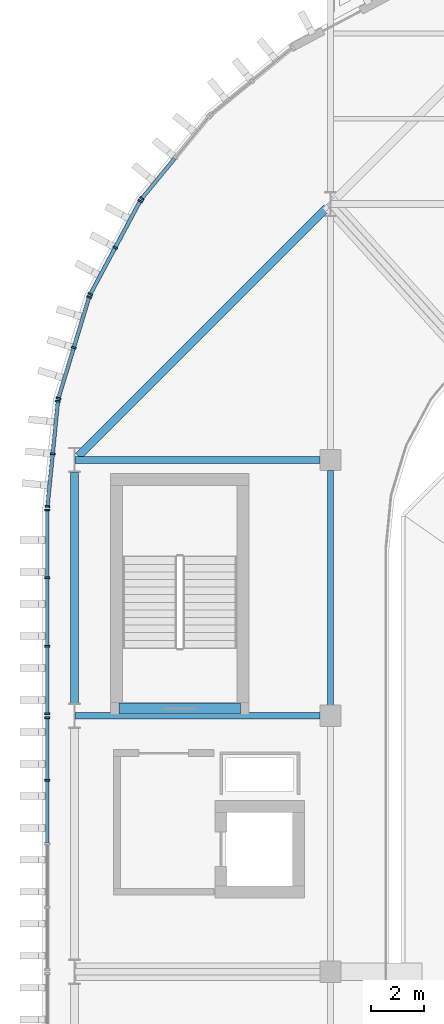
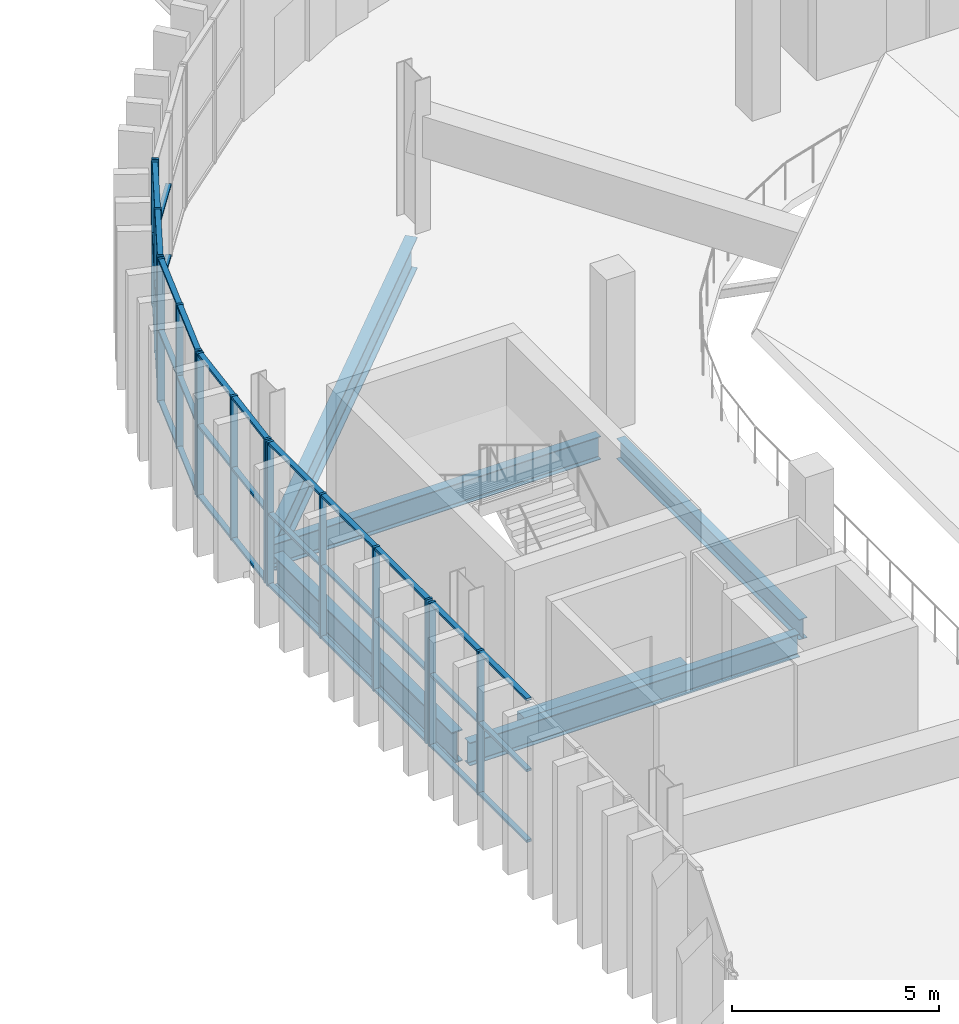
# One storey, part 24 of 69: 51 members, 6 beams, 6 elements without a shape of their own.
"""IFC4 building model written with IfcOpenShell, lengths in metres."""

from ifc_helpers import new_model, si_unit, direction, frame, origin, origin_2d, place, context, subcontext, project, spatial, rectangle, i_section, extrude, material, layer, layer_set, material_profile, profile_set, type_object, element, aggregate, save


model = new_model("IFC4")

# Units and contexts
model_context = context("Model", 3, precision=1e-05, world=origin(), true_north=direction((0.0, 1.0)))
body_context = subcontext(model_context, "Body", "Model", "MODEL_VIEW")
ifc_project = project(units=[si_unit("LENGTHUNIT", "METRE"), si_unit("AREAUNIT", "SQUARE_METRE"), si_unit("VOLUMEUNIT", "CUBIC_METRE"), si_unit("PLANEANGLEUNIT", "RADIAN"), si_unit("MASSUNIT", "GRAM", prefix="KILO")], contexts=[model_context])

# Site, building, storey
site_placement = place(None, origin())
site = spatial("IfcSite", under=ifc_project, at=site_placement, CompositionType="ELEMENT")
building_placement = place(site_placement, origin())
building = spatial("IfcBuilding", under=site, at=building_placement, Name="Caelomonte Colonnade Arena", CompositionType="ELEMENT")
storey_placement = place(building_placement, frame((0.0, 0.0, 18.60009765625)))
storey = spatial("IfcBuildingStorey", under=building, at=storey_placement, Name="L04", CompositionType="ELEMENT", Elevation=18.60009765625)

# Curtain wall, member
ifc_material_1 = material(Name="Bronze anodised aluminium and low-E glazing", Category="aluminium")
ifc_layer_1 = layer(ifc_material_1, 0.179931640625)
ifc_layer_set_1 = layer_set([ifc_layer_1], Name="Bronze anodised aluminium and low-E glazing")
curtain_wall_type_1 = type_object("IfcCurtainWallType", Name="ENV-CW-CW-L04-44-42", PredefinedType="USERDEFINED", material=ifc_layer_set_1)
curtain_wall_1_placement = place(storey_placement, origin())
curtain_wall_1 = element("IfcCurtainWall", 1, at=curtain_wall_1_placement, inside=storey, type_object=curtain_wall_type_1, Name="L04 unitized curtain wall CW-L04-0614-1073", ObjectType="UNITIZED CURTAIN WALL", PredefinedType="USERDEFINED")
ifc_material_2 = material(Name="Bronze anodised aluminium AA6063-T6", Category="aluminium")
ifc_material_profile_1 = material_profile(ifc_material_2, rectangle(XDim=0.070068359375, YDim=0.179931640625, at=origin_2d()), Name="CWM-70X180")
ifc_profile_set_1 = profile_set([ifc_material_profile_1], Name="Bronze anodised aluminium AA6063-T6")
member_type_1 = type_object("IfcMemberType", Name="ENV-CW-MULL1", PredefinedType="MULLION", material=ifc_profile_set_1)
member_1_placement = place(storey_placement, frame((60.125732421875, 105.810791015625, 0.0), z_axis=(0.0, 0.0, 1.0), x_axis=(-0.634416071163, -0.772991751994, 0.0)))
member_1 = element("IfcMember", 2, at=member_1_placement, type_object=member_type_1, Name="CW-L04-44-42 mullion 3", PredefinedType="MULLION", context=body_context, shape_type="SweptSolid", body=[
    extrude(rectangle(XDim=0.070068359375, YDim=0.179931640625, at=origin_2d()), origin(), (0.0, 0.0, 1.0), 4.239990234375),
])

# Curtain wall, members
curtain_wall_2_placement = place(storey_placement, origin())
curtain_wall_2 = element("IfcCurtainWall", 3, at=curtain_wall_2_placement, inside=storey, type_object=curtain_wall_type_1, Name="L04 unitized curtain wall CW-L04-0591-1040", ObjectType="UNITIZED CURTAIN WALL", PredefinedType="USERDEFINED")
member_2_placement = place(storey_placement, frame((60.0625, 105.716064453125, 0.0), z_axis=(0.0, 0.0, 1.0), x_axis=(-0.471394212466, -0.881922613642, 0.0)))
member_2 = element("IfcMember", 4, at=member_2_placement, type_object=member_type_1, Name="CW-L04-44-42 mullion 1", PredefinedType="MULLION", context=body_context, shape_type="SweptSolid", body=[
    extrude(rectangle(XDim=0.070068359375, YDim=0.179931640625, at=origin_2d()), origin(), (0.0, 0.0, 1.0), 4.239990234375),
])
member_3_placement = place(storey_placement, frame((59.12744140625, 103.966796875, 0.0), z_axis=(0.0, 0.0, 1.0), x_axis=(-0.471394212466, -0.881922613642, 0.0)))
member_3 = element("IfcMember", 5, at=member_3_placement, type_object=member_type_1, Name="CW-L04-44-42 mullion 2", PredefinedType="MULLION", context=body_context, shape_type="SweptSolid", body=[
    extrude(rectangle(XDim=0.070068359375, YDim=0.179931640625, at=origin_2d()), origin(), (0.0, 0.0, 1.0), 4.239990234375),
])
member_4_placement = place(storey_placement, frame((58.192626953125, 102.2177734375, 0.0), z_axis=(0.0, 0.0, 1.0), x_axis=(-0.471394212466, -0.881922613642, 0.0)))
member_4 = element("IfcMember", 6, at=member_4_placement, type_object=member_type_1, Name="CW-L04-44-42 mullion 3", PredefinedType="MULLION", context=body_context, shape_type="SweptSolid", body=[
    extrude(rectangle(XDim=0.070068359375, YDim=0.179931640625, at=origin_2d()), origin(), (0.0, 0.0, 1.0), 4.239990234375),
])

curtain_wall_3_placement = place(storey_placement, origin())
curtain_wall_3 = element("IfcCurtainWall", 7, at=curtain_wall_3_placement, inside=storey, type_object=curtain_wall_type_1, Name="L04 unitized curtain wall CW-L04-0576-1002", ObjectType="UNITIZED CURTAIN WALL", PredefinedType="USERDEFINED")
member_5_placement = place(storey_placement, frame((58.14892578125, 102.1123046875, 0.0), z_axis=(0.0, 0.0, 1.0), x_axis=(-0.290255582655, -0.956949160999, 0.0)))
member_5 = element("IfcMember", 8, at=member_5_placement, type_object=member_type_1, Name="CW-L04-44-42 mullion 1", PredefinedType="MULLION", context=body_context, shape_type="SweptSolid", body=[
    extrude(rectangle(XDim=0.070068359375, YDim=0.179931640625, at=origin_2d()), origin(), (0.0, 0.0, 1.0), 4.239990234375),
])
member_6_placement = place(storey_placement, frame((57.5732421875, 100.21435546875, 0.0), z_axis=(0.0, 0.0, 1.0), x_axis=(-0.290255582655, -0.956949160999, 0.0)))
member_6 = element("IfcMember", 9, at=member_6_placement, type_object=member_type_1, Name="CW-L04-44-42 mullion 2", PredefinedType="MULLION", context=body_context, shape_type="SweptSolid", body=[
    extrude(rectangle(XDim=0.070068359375, YDim=0.179931640625, at=origin_2d()), origin(), (0.0, 0.0, 1.0), 4.239990234375),
])
member_7_placement = place(storey_placement, frame((56.99755859375, 98.31640625, 0.0), z_axis=(0.0, 0.0, 1.0), x_axis=(-0.290255582655, -0.956949160999, 0.0)))
member_7 = element("IfcMember", 10, at=member_7_placement, type_object=member_type_1, Name="CW-L04-44-42 mullion 3", PredefinedType="MULLION", context=body_context, shape_type="SweptSolid", body=[
    extrude(rectangle(XDim=0.070068359375, YDim=0.179931640625, at=origin_2d()), origin(), (0.0, 0.0, 1.0), 4.239990234375),
])

curtain_wall_4_placement = place(storey_placement, origin())
curtain_wall_4 = element("IfcCurtainWall", 11, at=curtain_wall_4_placement, inside=storey, type_object=curtain_wall_type_1, Name="L04 unitized curtain wall CW-L04-0568-0962", ObjectType="UNITIZED CURTAIN WALL", PredefinedType="USERDEFINED")
member_8_placement = place(storey_placement, frame((56.975341796875, 98.20458984375, 0.0), z_axis=(0.0, 0.0, 1.0), x_axis=(-0.098002498041, -0.995186168703, 0.0)))
member_8 = element("IfcMember", 12, at=member_8_placement, type_object=member_type_1, Name="CW-L04-44-42 mullion 1", PredefinedType="MULLION", context=body_context, shape_type="SweptSolid", body=[
    extrude(rectangle(XDim=0.070068359375, YDim=0.179931640625, at=origin_2d()), origin(), (0.0, 0.0, 1.0), 4.239990234375),
])
member_9_placement = place(storey_placement, frame((56.781005859375, 96.230712890625, 0.0), z_axis=(0.0, 0.0, 1.0), x_axis=(-0.098002498041, -0.995186168703, 0.0)))
member_9 = element("IfcMember", 13, at=member_9_placement, type_object=member_type_1, Name="CW-L04-44-42 mullion 2", PredefinedType="MULLION", context=body_context, shape_type="SweptSolid", body=[
    extrude(rectangle(XDim=0.070068359375, YDim=0.179931640625, at=origin_2d()), origin(), (0.0, 0.0, 1.0), 4.239990234375),
])
member_10_placement = place(storey_placement, frame((56.58642578125, 94.257080078125, 0.0), z_axis=(0.0, 0.0, 1.0), x_axis=(-0.098002498041, -0.995186168703, 0.0)))
member_10 = element("IfcMember", 14, at=member_10_placement, type_object=member_type_1, Name="CW-L04-44-42 mullion 3", PredefinedType="MULLION", context=body_context, shape_type="SweptSolid", body=[
    extrude(rectangle(XDim=0.070068359375, YDim=0.179931640625, at=origin_2d()), origin(), (0.0, 0.0, 1.0), 4.239990234375),
])

ifc_layer_2 = layer(ifc_material_1, 0.179931640625)
ifc_layer_set_2 = layer_set([ifc_layer_2], Name="Bronze anodised aluminium and low-E glazing")
curtain_wall_type_2 = type_object("IfcCurtainWallType", Name="ENV-CW-CW-L04-79-42", PredefinedType="USERDEFINED", material=ifc_layer_set_2)
curtain_wall_5_placement = place(storey_placement, origin())
curtain_wall_5 = element("IfcCurtainWall", 15, at=curtain_wall_5_placement, inside=storey, type_object=curtain_wall_type_2, Name="L04 unitized curtain wall CW-L04-0566-0904", ObjectType="UNITIZED CURTAIN WALL", PredefinedType="USERDEFINED")
member_11_placement = place(storey_placement, frame((56.580078125, 94.125, 0.0), z_axis=(0.0, 0.0, 1.0), x_axis=(0.0, -1.0, 0.0)))
member_11 = element("IfcMember", 16, at=member_11_placement, type_object=member_type_1, Name="CW-L04-79-42 mullion 1", PredefinedType="MULLION", context=body_context, shape_type="SweptSolid", body=[
    extrude(rectangle(XDim=0.070068359375, YDim=0.179931640625, at=origin_2d()), origin(), (0.0, 0.0, 1.0), 4.239990234375),
])
member_12_placement = place(storey_placement, frame((56.580078125, 91.586669921875, 0.0), z_axis=(0.0, 0.0, 1.0), x_axis=(0.0, -1.0, 0.0)))
member_12 = element("IfcMember", 17, at=member_12_placement, type_object=member_type_1, Name="CW-L04-79-42 mullion 2", PredefinedType="MULLION", context=body_context, shape_type="SweptSolid", body=[
    extrude(rectangle(XDim=0.070068359375, YDim=0.179931640625, at=origin_2d()), origin(), (0.0, 0.0, 1.0), 4.239990234375),
])
member_13_placement = place(storey_placement, frame((56.580078125, 89.013427734375, 0.0), z_axis=(0.0, 0.0, 1.0), x_axis=(0.0, -1.0, 0.0)))
member_13 = element("IfcMember", 18, at=member_13_placement, type_object=member_type_1, Name="CW-L04-79-42 mullion 3", PredefinedType="MULLION", context=body_context, shape_type="SweptSolid", body=[
    extrude(rectangle(XDim=0.070068359375, YDim=0.179931640625, at=origin_2d()), origin(), (0.0, 0.0, 1.0), 4.239990234375),
])
member_14_placement = place(storey_placement, frame((56.580078125, 86.47509765625, 0.0), z_axis=(0.0, 0.0, 1.0), x_axis=(0.0, -1.0, 0.0)))
member_14 = element("IfcMember", 19, at=member_14_placement, type_object=member_type_1, Name="CW-L04-79-42 mullion 4", PredefinedType="MULLION", context=body_context, shape_type="SweptSolid", body=[
    extrude(rectangle(XDim=0.070068359375, YDim=0.179931640625, at=origin_2d()), origin(), (0.0, 0.0, 1.0), 4.239990234375),
])

ifc_layer_3 = layer(ifc_material_1, 0.179931640625)
ifc_layer_set_3 = layer_set([ifc_layer_3], Name="Bronze anodised aluminium and low-E glazing")
curtain_wall_type_3 = type_object("IfcCurtainWallType", Name="ENV-CW-CW-L04-96-42", PredefinedType="USERDEFINED", material=ifc_layer_set_3)
curtain_wall_6_placement = place(storey_placement, origin())
curtain_wall_6 = element("IfcCurtainWall", 20, at=curtain_wall_6_placement, inside=storey, type_object=curtain_wall_type_3, Name="L04 unitized curtain wall CW-L04-0566-0816", ObjectType="UNITIZED CURTAIN WALL", PredefinedType="USERDEFINED")
member_15_placement = place(storey_placement, frame((56.580078125, 86.324951171875, 0.0), z_axis=(0.0, 0.0, 1.0), x_axis=(0.0, -1.0, 0.0)))
member_15 = element("IfcMember", 21, at=member_15_placement, type_object=member_type_1, Name="CW-L04-96-42 mullion 1", PredefinedType="MULLION", context=body_context, shape_type="SweptSolid", body=[
    extrude(rectangle(XDim=0.070068359375, YDim=0.179931640625, at=origin_2d()), origin(), (0.0, 0.0, 1.0), 4.239990234375),
])
member_16_placement = place(storey_placement, frame((56.580078125, 83.97998046875, 0.0), z_axis=(0.0, 0.0, 1.0), x_axis=(0.0, -1.0, 0.0)))
member_16 = element("IfcMember", 22, at=member_16_placement, type_object=member_type_1, Name="CW-L04-96-42 mullion 2", PredefinedType="MULLION", context=body_context, shape_type="SweptSolid", body=[
    extrude(rectangle(XDim=0.070068359375, YDim=0.179931640625, at=origin_2d()), origin(), (0.0, 0.0, 1.0), 4.239990234375),
])

# Member
ifc_material_profile_2 = material_profile(ifc_material_2, rectangle(XDim=0.070068359375, YDim=0.139892578125, at=origin_2d()), Name="CWT-70X140")
ifc_profile_set_2 = profile_set([ifc_material_profile_2], Name="Bronze anodised aluminium AA6063-T6")
member_type_2 = type_object("IfcMemberType", Name="ENV-CW-TRAN1", PredefinedType="USERDEFINED", material=ifc_profile_set_2)
member_17_placement = place(storey_placement, frame((61.36181640625, 107.31689453125, 0.034912109375), z_axis=(-0.634418283662, -0.772989936128, 0.0), x_axis=(0.0, 0.0, 1.0)))
member_17 = element("IfcMember", 23, at=member_17_placement, type_object=member_type_2, Name="CW-L04-44-42 transom 2.1", ObjectType="TRANSOM", PredefinedType="USERDEFINED", context=body_context, shape_type="SweptSolid", body=[
    extrude(rectangle(XDim=0.070068359375, YDim=0.139892578125, at=origin_2d()), origin(), (0.0, 0.0, 1.0), 1.913330078125),
])

member_18_placement = place(storey_placement, frame((61.36181640625, 107.31689453125, 2.119873046875), z_axis=(-0.634418283662, -0.772989936128, 0.0), x_axis=(0.0, 0.0, 1.0)))
member_18 = element("IfcMember", 24, at=member_18_placement, type_object=member_type_2, Name="CW-L04-44-42 transom 2.2", ObjectType="TRANSOM", PredefinedType="USERDEFINED", context=body_context, shape_type="SweptSolid", body=[
    extrude(rectangle(XDim=0.070068359375, YDim=0.139892578125, at=origin_2d()), origin(), (0.0, 0.0, 1.0), 1.913330078125),
])

aggregate(curtain_wall_1, [member_1, member_17, member_18])

member_19_placement = place(storey_placement, frame((60.0458984375, 105.68505859375, 0.034912109375), z_axis=(-0.471396095589, -0.881921607096, 0.0), x_axis=(0.0, 0.0, 1.0)))
member_19 = element("IfcMember", 25, at=member_19_placement, type_object=member_type_2, Name="CW-L04-44-42 transom 1.1", ObjectType="TRANSOM", PredefinedType="USERDEFINED", context=body_context, shape_type="SweptSolid", body=[
    extrude(rectangle(XDim=0.070068359375, YDim=0.139892578125, at=origin_2d()), origin(), (0.0, 0.0, 1.0), 1.9130859375),
])

member_20_placement = place(storey_placement, frame((60.0458984375, 105.68505859375, 2.119873046875), z_axis=(-0.471396095589, -0.881921607096, 0.0), x_axis=(0.0, 0.0, 1.0)))
member_20 = element("IfcMember", 26, at=member_20_placement, type_object=member_type_2, Name="CW-L04-44-42 transom 1.2", ObjectType="TRANSOM", PredefinedType="USERDEFINED", context=body_context, shape_type="SweptSolid", body=[
    extrude(rectangle(XDim=0.070068359375, YDim=0.139892578125, at=origin_2d()), origin(), (0.0, 0.0, 1.0), 1.9130859375),
])

member_21_placement = place(storey_placement, frame((60.0458984375, 105.68505859375, 4.204833984375), z_axis=(-0.471396095589, -0.881921607096, 0.0), x_axis=(0.0, 0.0, 1.0)))
member_21 = element("IfcMember", 27, at=member_21_placement, type_object=member_type_2, Name="CW-L04-44-42 transom 1.3", ObjectType="TRANSOM", PredefinedType="USERDEFINED", context=body_context, shape_type="SweptSolid", body=[
    extrude(rectangle(XDim=0.070068359375, YDim=0.139892578125, at=origin_2d()), origin(), (0.0, 0.0, 1.0), 1.9130859375),
])

member_22_placement = place(storey_placement, frame((59.111083984375, 103.93603515625, 0.034912109375), z_axis=(-0.471442288799, -0.881896914799, 0.0), x_axis=(0.0, 0.0, 1.0)))
member_22 = element("IfcMember", 28, at=member_22_placement, type_object=member_type_2, Name="CW-L04-44-42 transom 2.1", ObjectType="TRANSOM", PredefinedType="USERDEFINED", context=body_context, shape_type="SweptSolid", body=[
    extrude(rectangle(XDim=0.070068359375, YDim=0.139892578125, at=origin_2d()), origin(), (0.0, 0.0, 1.0), 1.91357421875),
])

member_23_placement = place(storey_placement, frame((59.111083984375, 103.93603515625, 2.119873046875), z_axis=(-0.471442288799, -0.881896914799, 0.0), x_axis=(0.0, 0.0, 1.0)))
member_23 = element("IfcMember", 29, at=member_23_placement, type_object=member_type_2, Name="CW-L04-44-42 transom 2.2", ObjectType="TRANSOM", PredefinedType="USERDEFINED", context=body_context, shape_type="SweptSolid", body=[
    extrude(rectangle(XDim=0.070068359375, YDim=0.139892578125, at=origin_2d()), origin(), (0.0, 0.0, 1.0), 1.91357421875),
])

member_24_placement = place(storey_placement, frame((59.111083984375, 103.93603515625, 4.204833984375), z_axis=(-0.471442288799, -0.881896914799, 0.0), x_axis=(0.0, 0.0, 1.0)))
member_24 = element("IfcMember", 30, at=member_24_placement, type_object=member_type_2, Name="CW-L04-44-42 transom 2.3", ObjectType="TRANSOM", PredefinedType="USERDEFINED", context=body_context, shape_type="SweptSolid", body=[
    extrude(rectangle(XDim=0.070068359375, YDim=0.139892578125, at=origin_2d()), origin(), (0.0, 0.0, 1.0), 1.91357421875),
])

aggregate(curtain_wall_2, [member_2, member_3, member_4, member_19, member_20, member_21, member_22, member_23, member_24])

member_25_placement = place(storey_placement, frame((58.138671875, 102.078857421875, 0.034912109375), z_axis=(-0.29015613003, -0.956979320678, 0.0), x_axis=(0.0, 0.0, 1.0)))
member_25 = element("IfcMember", 31, at=member_25_placement, type_object=member_type_2, Name="CW-L04-44-42 transom 1.1", ObjectType="TRANSOM", PredefinedType="USERDEFINED", context=body_context, shape_type="SweptSolid", body=[
    extrude(rectangle(XDim=0.070068359375, YDim=0.139892578125, at=origin_2d()), origin(), (0.0, 0.0, 1.0), 1.913330078125),
])

member_26_placement = place(storey_placement, frame((58.138671875, 102.078857421875, 2.119873046875), z_axis=(-0.29015613003, -0.956979320678, 0.0), x_axis=(0.0, 0.0, 1.0)))
member_26 = element("IfcMember", 32, at=member_26_placement, type_object=member_type_2, Name="CW-L04-44-42 transom 1.2", ObjectType="TRANSOM", PredefinedType="USERDEFINED", context=body_context, shape_type="SweptSolid", body=[
    extrude(rectangle(XDim=0.070068359375, YDim=0.139892578125, at=origin_2d()), origin(), (0.0, 0.0, 1.0), 1.913330078125),
])

member_27_placement = place(storey_placement, frame((58.138671875, 102.078857421875, 4.204833984375), z_axis=(-0.29015613003, -0.956979320678, 0.0), x_axis=(0.0, 0.0, 1.0)))
member_27 = element("IfcMember", 33, at=member_27_placement, type_object=member_type_2, Name="CW-L04-44-42 transom 1.3", ObjectType="TRANSOM", PredefinedType="USERDEFINED", context=body_context, shape_type="SweptSolid", body=[
    extrude(rectangle(XDim=0.070068359375, YDim=0.139892578125, at=origin_2d()), origin(), (0.0, 0.0, 1.0), 1.913330078125),
])

member_28_placement = place(storey_placement, frame((57.56298828125, 100.180908203125, 0.034912109375), z_axis=(-0.29015613003, -0.956979320678, 0.0), x_axis=(0.0, 0.0, 1.0)))
member_28 = element("IfcMember", 34, at=member_28_placement, type_object=member_type_2, Name="CW-L04-44-42 transom 2.1", ObjectType="TRANSOM", PredefinedType="USERDEFINED", context=body_context, shape_type="SweptSolid", body=[
    extrude(rectangle(XDim=0.070068359375, YDim=0.139892578125, at=origin_2d()), origin(), (0.0, 0.0, 1.0), 1.913330078125),
])

member_29_placement = place(storey_placement, frame((57.56298828125, 100.180908203125, 2.119873046875), z_axis=(-0.29015613003, -0.956979320678, 0.0), x_axis=(0.0, 0.0, 1.0)))
member_29 = element("IfcMember", 35, at=member_29_placement, type_object=member_type_2, Name="CW-L04-44-42 transom 2.2", ObjectType="TRANSOM", PredefinedType="USERDEFINED", context=body_context, shape_type="SweptSolid", body=[
    extrude(rectangle(XDim=0.070068359375, YDim=0.139892578125, at=origin_2d()), origin(), (0.0, 0.0, 1.0), 1.913330078125),
])

member_30_placement = place(storey_placement, frame((57.56298828125, 100.180908203125, 4.204833984375), z_axis=(-0.29015613003, -0.956979320678, 0.0), x_axis=(0.0, 0.0, 1.0)))
member_30 = element("IfcMember", 36, at=member_30_placement, type_object=member_type_2, Name="CW-L04-44-42 transom 2.3", ObjectType="TRANSOM", PredefinedType="USERDEFINED", context=body_context, shape_type="SweptSolid", body=[
    extrude(rectangle(XDim=0.070068359375, YDim=0.139892578125, at=origin_2d()), origin(), (0.0, 0.0, 1.0), 1.913330078125),
])

aggregate(curtain_wall_3, [member_5, member_6, member_7, member_25, member_26, member_27, member_28, member_29, member_30])

member_31_placement = place(storey_placement, frame((56.971923828125, 98.169677734375, 0.034912109375), z_axis=(-0.098000148132, -0.995186400111, 0.0), x_axis=(0.0, 0.0, 1.0)))
member_31 = element("IfcMember", 37, at=member_31_placement, type_object=member_type_2, Name="CW-L04-44-42 transom 1.1", ObjectType="TRANSOM", PredefinedType="USERDEFINED", context=body_context, shape_type="SweptSolid", body=[
    extrude(rectangle(XDim=0.070068359375, YDim=0.139892578125, at=origin_2d()), origin(), (0.0, 0.0, 1.0), 1.913330078125),
])

member_32_placement = place(storey_placement, frame((56.971923828125, 98.169677734375, 2.119873046875), z_axis=(-0.098000148132, -0.995186400111, 0.0), x_axis=(0.0, 0.0, 1.0)))
member_32 = element("IfcMember", 38, at=member_32_placement, type_object=member_type_2, Name="CW-L04-44-42 transom 1.2", ObjectType="TRANSOM", PredefinedType="USERDEFINED", context=body_context, shape_type="SweptSolid", body=[
    extrude(rectangle(XDim=0.070068359375, YDim=0.139892578125, at=origin_2d()), origin(), (0.0, 0.0, 1.0), 1.913330078125),
])

member_33_placement = place(storey_placement, frame((56.971923828125, 98.169677734375, 4.204833984375), z_axis=(-0.098000148132, -0.995186400111, 0.0), x_axis=(0.0, 0.0, 1.0)))
member_33 = element("IfcMember", 39, at=member_33_placement, type_object=member_type_2, Name="CW-L04-44-42 transom 1.3", ObjectType="TRANSOM", PredefinedType="USERDEFINED", context=body_context, shape_type="SweptSolid", body=[
    extrude(rectangle(XDim=0.070068359375, YDim=0.139892578125, at=origin_2d()), origin(), (0.0, 0.0, 1.0), 1.913330078125),
])

member_34_placement = place(storey_placement, frame((56.777587890625, 96.196044921875, 0.034912109375), z_axis=(-0.098114065391, -0.995175175621, 0.0), x_axis=(0.0, 0.0, 1.0)))
member_34 = element("IfcMember", 40, at=member_34_placement, type_object=member_type_2, Name="CW-L04-44-42 transom 2.1", ObjectType="TRANSOM", PredefinedType="USERDEFINED", context=body_context, shape_type="SweptSolid", body=[
    extrude(rectangle(XDim=0.070068359375, YDim=0.139892578125, at=origin_2d()), origin(), (0.0, 0.0, 1.0), 1.91357421875),
])

member_35_placement = place(storey_placement, frame((56.777587890625, 96.196044921875, 2.119873046875), z_axis=(-0.098114065391, -0.995175175621, 0.0), x_axis=(0.0, 0.0, 1.0)))
member_35 = element("IfcMember", 41, at=member_35_placement, type_object=member_type_2, Name="CW-L04-44-42 transom 2.2", ObjectType="TRANSOM", PredefinedType="USERDEFINED", context=body_context, shape_type="SweptSolid", body=[
    extrude(rectangle(XDim=0.070068359375, YDim=0.139892578125, at=origin_2d()), origin(), (0.0, 0.0, 1.0), 1.91357421875),
])

member_36_placement = place(storey_placement, frame((56.777587890625, 96.196044921875, 4.204833984375), z_axis=(-0.098114065391, -0.995175175621, 0.0), x_axis=(0.0, 0.0, 1.0)))
member_36 = element("IfcMember", 42, at=member_36_placement, type_object=member_type_2, Name="CW-L04-44-42 transom 2.3", ObjectType="TRANSOM", PredefinedType="USERDEFINED", context=body_context, shape_type="SweptSolid", body=[
    extrude(rectangle(XDim=0.070068359375, YDim=0.139892578125, at=origin_2d()), origin(), (0.0, 0.0, 1.0), 1.91357421875),
])

aggregate(curtain_wall_4, [member_8, member_9, member_10, member_31, member_32, member_33, member_34, member_35, member_36])

member_37_placement = place(storey_placement, frame((56.580078125, 94.090087890625, 0.034912109375), z_axis=(0.0, -1.0, 0.0), x_axis=(0.0, 0.0, 1.0)))
member_37 = element("IfcMember", 43, at=member_37_placement, type_object=member_type_2, Name="CW-L04-79-42 transom 1.1", ObjectType="TRANSOM", PredefinedType="USERDEFINED", context=body_context, shape_type="SweptSolid", body=[
    extrude(rectangle(XDim=0.070068359375, YDim=0.139892578125, at=origin_2d()), origin(), (0.0, 0.0, 1.0), 2.468505859375),
])

member_38_placement = place(storey_placement, frame((56.580078125, 94.090087890625, 2.119873046875), z_axis=(0.0, -1.0, 0.0), x_axis=(0.0, 0.0, 1.0)))
member_38 = element("IfcMember", 44, at=member_38_placement, type_object=member_type_2, Name="CW-L04-79-42 transom 1.2", ObjectType="TRANSOM", PredefinedType="USERDEFINED", context=body_context, shape_type="SweptSolid", body=[
    extrude(rectangle(XDim=0.070068359375, YDim=0.139892578125, at=origin_2d()), origin(), (0.0, 0.0, 1.0), 2.468505859375),
])

member_39_placement = place(storey_placement, frame((56.580078125, 94.090087890625, 4.204833984375), z_axis=(0.0, -1.0, 0.0), x_axis=(0.0, 0.0, 1.0)))
member_39 = element("IfcMember", 45, at=member_39_placement, type_object=member_type_2, Name="CW-L04-79-42 transom 1.3", ObjectType="TRANSOM", PredefinedType="USERDEFINED", context=body_context, shape_type="SweptSolid", body=[
    extrude(rectangle(XDim=0.070068359375, YDim=0.139892578125, at=origin_2d()), origin(), (0.0, 0.0, 1.0), 2.468505859375),
])

member_40_placement = place(storey_placement, frame((56.580078125, 91.5517578125, 0.034912109375), z_axis=(0.0, -1.0, 0.0), x_axis=(0.0, 0.0, 1.0)))
member_40 = element("IfcMember", 46, at=member_40_placement, type_object=member_type_2, Name="CW-L04-79-42 transom 2.1", ObjectType="TRANSOM", PredefinedType="USERDEFINED", context=body_context, shape_type="SweptSolid", body=[
    extrude(rectangle(XDim=0.070068359375, YDim=0.139892578125, at=origin_2d()), origin(), (0.0, 0.0, 1.0), 2.50341796875),
])

member_41_placement = place(storey_placement, frame((56.580078125, 91.5517578125, 2.119873046875), z_axis=(0.0, -1.0, 0.0), x_axis=(0.0, 0.0, 1.0)))
member_41 = element("IfcMember", 47, at=member_41_placement, type_object=member_type_2, Name="CW-L04-79-42 transom 2.2", ObjectType="TRANSOM", PredefinedType="USERDEFINED", context=body_context, shape_type="SweptSolid", body=[
    extrude(rectangle(XDim=0.070068359375, YDim=0.139892578125, at=origin_2d()), origin(), (0.0, 0.0, 1.0), 2.50341796875),
])

member_42_placement = place(storey_placement, frame((56.580078125, 91.5517578125, 4.204833984375), z_axis=(0.0, -1.0, 0.0), x_axis=(0.0, 0.0, 1.0)))
member_42 = element("IfcMember", 48, at=member_42_placement, type_object=member_type_2, Name="CW-L04-79-42 transom 2.3", ObjectType="TRANSOM", PredefinedType="USERDEFINED", context=body_context, shape_type="SweptSolid", body=[
    extrude(rectangle(XDim=0.070068359375, YDim=0.139892578125, at=origin_2d()), origin(), (0.0, 0.0, 1.0), 2.50341796875),
])

member_43_placement = place(storey_placement, frame((56.580078125, 88.978271484375, 0.034912109375), z_axis=(0.0, -1.0, 0.0), x_axis=(0.0, 0.0, 1.0)))
member_43 = element("IfcMember", 49, at=member_43_placement, type_object=member_type_2, Name="CW-L04-79-42 transom 3.1", ObjectType="TRANSOM", PredefinedType="USERDEFINED", context=body_context, shape_type="SweptSolid", body=[
    extrude(rectangle(XDim=0.070068359375, YDim=0.139892578125, at=origin_2d()), origin(), (0.0, 0.0, 1.0), 2.46826171875),
])

member_44_placement = place(storey_placement, frame((56.580078125, 88.978271484375, 2.119873046875), z_axis=(0.0, -1.0, 0.0), x_axis=(0.0, 0.0, 1.0)))
member_44 = element("IfcMember", 50, at=member_44_placement, type_object=member_type_2, Name="CW-L04-79-42 transom 3.2", ObjectType="TRANSOM", PredefinedType="USERDEFINED", context=body_context, shape_type="SweptSolid", body=[
    extrude(rectangle(XDim=0.070068359375, YDim=0.139892578125, at=origin_2d()), origin(), (0.0, 0.0, 1.0), 2.46826171875),
])

member_45_placement = place(storey_placement, frame((56.580078125, 88.978271484375, 4.204833984375), z_axis=(0.0, -1.0, 0.0), x_axis=(0.0, 0.0, 1.0)))
member_45 = element("IfcMember", 51, at=member_45_placement, type_object=member_type_2, Name="CW-L04-79-42 transom 3.3", ObjectType="TRANSOM", PredefinedType="USERDEFINED", context=body_context, shape_type="SweptSolid", body=[
    extrude(rectangle(XDim=0.070068359375, YDim=0.139892578125, at=origin_2d()), origin(), (0.0, 0.0, 1.0), 2.46826171875),
])

aggregate(curtain_wall_5, [member_11, member_12, member_13, member_14, member_37, member_38, member_39, member_40, member_41, member_42, member_43, member_44, member_45])

member_46_placement = place(storey_placement, frame((56.580078125, 86.2900390625, 0.034912109375), z_axis=(0.0, -1.0, 0.0), x_axis=(0.0, 0.0, 1.0)))
member_46 = element("IfcMember", 52, at=member_46_placement, type_object=member_type_2, Name="CW-L04-96-42 transom 1.1", ObjectType="TRANSOM", PredefinedType="USERDEFINED", context=body_context, shape_type="SweptSolid", body=[
    extrude(rectangle(XDim=0.070068359375, YDim=0.139892578125, at=origin_2d()), origin(), (0.0, 0.0, 1.0), 2.275146484375),
])

member_47_placement = place(storey_placement, frame((56.580078125, 86.2900390625, 2.119873046875), z_axis=(0.0, -1.0, 0.0), x_axis=(0.0, 0.0, 1.0)))
member_47 = element("IfcMember", 53, at=member_47_placement, type_object=member_type_2, Name="CW-L04-96-42 transom 1.2", ObjectType="TRANSOM", PredefinedType="USERDEFINED", context=body_context, shape_type="SweptSolid", body=[
    extrude(rectangle(XDim=0.070068359375, YDim=0.139892578125, at=origin_2d()), origin(), (0.0, 0.0, 1.0), 2.275146484375),
])

member_48_placement = place(storey_placement, frame((56.580078125, 86.2900390625, 4.204833984375), z_axis=(0.0, -1.0, 0.0), x_axis=(0.0, 0.0, 1.0)))
member_48 = element("IfcMember", 54, at=member_48_placement, type_object=member_type_2, Name="CW-L04-96-42 transom 1.3", ObjectType="TRANSOM", PredefinedType="USERDEFINED", context=body_context, shape_type="SweptSolid", body=[
    extrude(rectangle(XDim=0.070068359375, YDim=0.139892578125, at=origin_2d()), origin(), (0.0, 0.0, 1.0), 2.275146484375),
])

member_49_placement = place(storey_placement, frame((56.580078125, 83.945068359375, 0.034912109375), z_axis=(0.0, -1.0, 0.0), x_axis=(0.0, 0.0, 1.0)))
member_49 = element("IfcMember", 55, at=member_49_placement, type_object=member_type_2, Name="CW-L04-96-42 transom 2.1", ObjectType="TRANSOM", PredefinedType="USERDEFINED", context=body_context, shape_type="SweptSolid", body=[
    extrude(rectangle(XDim=0.070068359375, YDim=0.139892578125, at=origin_2d()), origin(), (0.0, 0.0, 1.0), 2.31005859375),
])

member_50_placement = place(storey_placement, frame((56.580078125, 83.945068359375, 2.119873046875), z_axis=(0.0, -1.0, 0.0), x_axis=(0.0, 0.0, 1.0)))
member_50 = element("IfcMember", 56, at=member_50_placement, type_object=member_type_2, Name="CW-L04-96-42 transom 2.2", ObjectType="TRANSOM", PredefinedType="USERDEFINED", context=body_context, shape_type="SweptSolid", body=[
    extrude(rectangle(XDim=0.070068359375, YDim=0.139892578125, at=origin_2d()), origin(), (0.0, 0.0, 1.0), 2.31005859375),
])

member_51_placement = place(storey_placement, frame((56.580078125, 83.945068359375, 4.204833984375), z_axis=(0.0, -1.0, 0.0), x_axis=(0.0, 0.0, 1.0)))
member_51 = element("IfcMember", 57, at=member_51_placement, type_object=member_type_2, Name="CW-L04-96-42 transom 2.3", ObjectType="TRANSOM", PredefinedType="USERDEFINED", context=body_context, shape_type="SweptSolid", body=[
    extrude(rectangle(XDim=0.070068359375, YDim=0.139892578125, at=origin_2d()), origin(), (0.0, 0.0, 1.0), 2.31005859375),
])

aggregate(curtain_wall_6, [member_15, member_16, member_46, member_47, member_48, member_49, member_50, member_51])

# Beams
ifc_material_3 = material(Name="Wide-flange steel ASTM A992 Grade 50", Category="steel")
ifc_material_profile_3 = material_profile(ifc_material_3, i_section(OverallWidth=0.307861328125, OverallDepth=0.927001953125, WebThickness=0.019287109375, FlangeThickness=0.031982421875, FilletRadius=0.020263671875, at=origin_2d()), Name="W36X194")
ifc_profile_set_3 = profile_set([ifc_material_profile_3], Name="Wide-flange steel ASTM A992 Grade 50")
beam_type_1 = type_object("IfcBeamType", Name="STR-BM-EAVES2", PredefinedType="SPANDREL", material=ifc_profile_set_3)
beam_1_placement = place(storey_placement, frame((57.60009765625, 86.86572265625, -0.7236328125), z_axis=(0.0, 1.0, 0.0), x_axis=(-1.0, 0.0, 0.0)))
element("IfcBeam", 58, at=beam_1_placement, inside=storey, type_object=beam_type_1, Name="L04 girder BMY-L04-0576-0864", PredefinedType="SPANDREL", context=body_context, shape_type="SweptSolid", body=[
    extrude(i_section(OverallWidth=0.307861328125, OverallDepth=0.927001953125, WebThickness=0.019287109375, FlangeThickness=0.031982421875, FilletRadius=0.020263671875, at=origin_2d()), origin(), (0.0, 0.0, 1.0), 8.66845703125),
])
beam_2_placement = place(storey_placement, frame((67.055908203125, 105.4560546875, -0.7236328125), z_axis=(-0.707106781187, -0.707106781187, 0.0), x_axis=(0.707106781187, -0.707106781187, 0.0)))
element("IfcBeam", 59, at=beam_2_placement, inside=storey, type_object=beam_type_1, Name="L04 drum corner ring girder 8", PredefinedType="SPANDREL", context=body_context, shape_type="SweptSolid", body=[
    extrude(i_section(OverallWidth=0.307861328125, OverallDepth=0.927001953125, WebThickness=0.019287109375, FlangeThickness=0.031982421875, FilletRadius=0.020263671875, at=origin_2d()), origin(), (0.0, 0.0, 1.0), 13.169189453125),
])
ifc_material_profile_4 = material_profile(ifc_material_3, i_section(OverallWidth=0.227783203125, OverallDepth=0.60205078125, WebThickness=0.010498046875, FlangeThickness=0.014892578125, FilletRadius=0.0126953125, at=origin_2d()), Name="W24X68")
ifc_profile_set_4 = profile_set([ifc_material_profile_4], Name="Wide-flange steel ASTM A992 Grade 50")
beam_type_2 = type_object("IfcBeamType", Name="STR-BM-GIRD24B", PredefinedType="SPANDREL", material=ifc_profile_set_4)
beam_3_placement = place(storey_placement, frame((67.199951171875, 86.7919921875, -0.56103515625), z_axis=(0.0, 1.0, 0.0), x_axis=(-1.0, 0.0, 0.0)))
element("IfcBeam", 60, at=beam_3_placement, inside=storey, type_object=beam_type_2, Name="L04 girder BMY-L04-0672-0864", PredefinedType="SPANDREL", context=body_context, shape_type="SweptSolid", body=[
    extrude(i_section(OverallWidth=0.227783203125, OverallDepth=0.60205078125, WebThickness=0.010498046875, FlangeThickness=0.014892578125, FilletRadius=0.0126953125, at=origin_2d()), origin(), (0.0, 0.0, 1.0), 8.81591796875),
])
ifc_material_profile_5 = material_profile(ifc_material_3, i_section(OverallWidth=0.253662109375, OverallDepth=0.683349609375, WebThickness=0.012451171875, FlangeThickness=0.018798828125, FilletRadius=0.01513671875, at=origin_2d()), Name="W27X94")
ifc_profile_set_5 = profile_set([ifc_material_profile_5], Name="Wide-flange steel ASTM A992 Grade 50")
beam_type_3 = type_object("IfcBeamType", Name="STR-BM-GIRD27", PredefinedType="BEAM", material=ifc_profile_set_5)
for number, where, z_axis, x_axis, name in (
    (61, (57.612060546875, 86.39990234375, -0.601806640625), (1.0, 0.0, 0.0), (0.0, 1.0, 0.0), "L04 girder BMX-L04-0576-0864"),
    (62, (57.612060546875, 96.0, -0.601806640625), (1.0, 0.0, 0.0), (0.0, 1.0, 0.0), "L04 girder BMX-L04-0576-0960"),
):
    element("IfcBeam", number, at=place(storey_placement, frame(where, z_axis=z_axis, x_axis=x_axis)), inside=storey, type_object=beam_type_3, Name=name, PredefinedType="BEAM", context=body_context, shape_type="SweptSolid", body=[
        extrude(i_section(OverallWidth=0.253662109375, OverallDepth=0.683349609375, WebThickness=0.012451171875, FlangeThickness=0.018798828125, FilletRadius=0.01513671875, at=origin_2d()), origin(), (0.0, 0.0, 1.0), 9.196044921875),
    ])
ifc_material_4 = material(Name="Concrete C40/50", Category="concrete")
ifc_material_profile_6 = material_profile(ifc_material_4, rectangle(XDim=0.39990234375, YDim=0.64990234375, at=origin_2d()), Name="RC400X650")
ifc_profile_set_6 = profile_set([ifc_material_profile_6], Name="Concrete C40/50")
beam_type_4 = type_object("IfcBeamType", Name="STR-BM-LINT40", PredefinedType="LINTEL", material=ifc_profile_set_6)
beam_4_placement = place(storey_placement, frame((59.27490234375, 86.675048828125, -0.585205078125), z_axis=(1.0, 0.0, 0.0), x_axis=(0.0, 1.0, 0.0)))
element("IfcBeam", 63, at=beam_4_placement, inside=storey, type_object=beam_type_4, Name="Core C4 L04 coupling lintel beam", PredefinedType="LINTEL", context=body_context, shape_type="SweptSolid", body=[
    extrude(rectangle(XDim=0.39990234375, YDim=0.64990234375, at=origin_2d()), origin(), (0.0, 0.0, 1.0), 4.550048828125),
])

save(model, "model.ifc")
